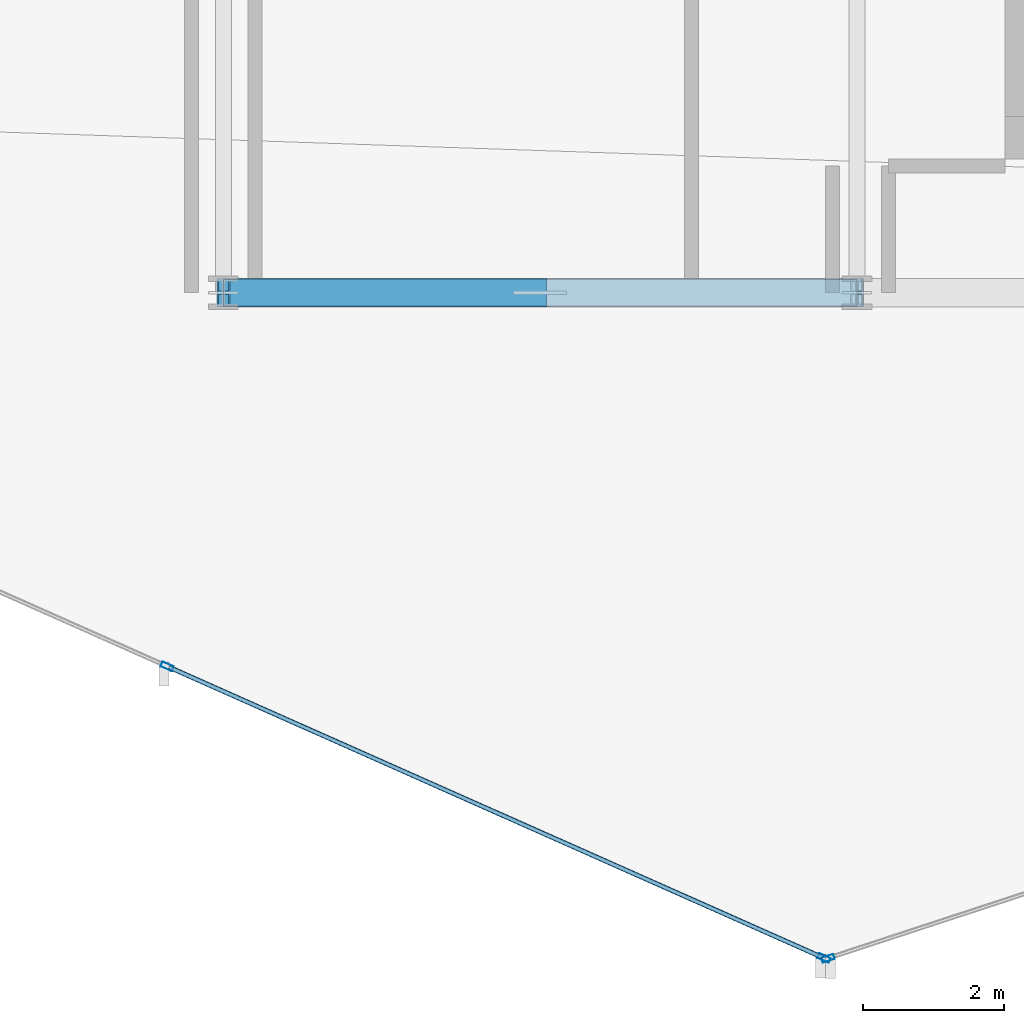
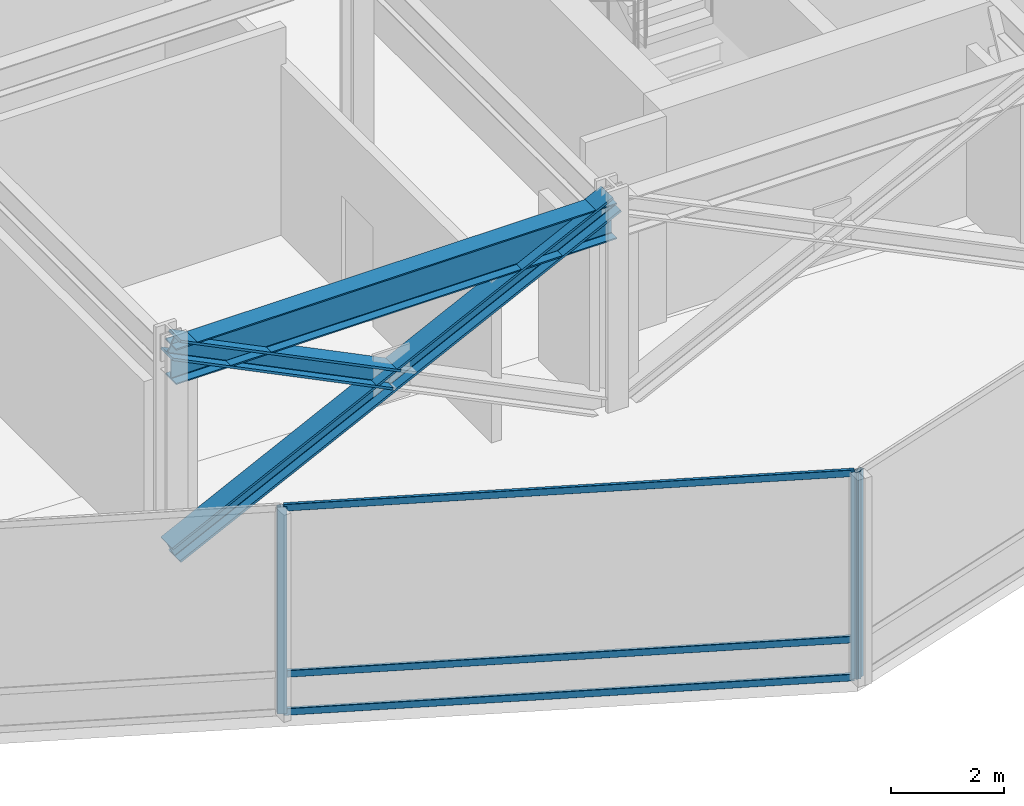
# One storey, part 3 of 42: 8 members, 1 beam, 2 elements without a shape of their own.
"""IFC4 building model written with IfcOpenShell, lengths in metres."""

from ifc_helpers import new_model, si_unit, direction, frame, origin, origin_2d, place, context, subcontext, project, spatial, hollow_rectangle, i_section, extrude, material, layer, layer_set, material_profile, profile_set, type_object, element, aggregate, save


model = new_model("IFC4")

# Units and contexts
model_context = context("Model", 3, precision=1e-05, world=origin(), true_north=direction((0.0, 1.0)))
body_context = subcontext(model_context, "Body", "Model", "MODEL_VIEW")
ifc_project = project(units=[si_unit("LENGTHUNIT", "METRE"), si_unit("AREAUNIT", "SQUARE_METRE"), si_unit("VOLUMEUNIT", "CUBIC_METRE"), si_unit("PLANEANGLEUNIT", "RADIAN"), si_unit("MASSUNIT", "GRAM", prefix="KILO")], contexts=[model_context])

# Site, building, storey
site_placement = place(None, origin())
site = spatial("IfcSite", under=ifc_project, at=site_placement, CompositionType="ELEMENT")
building_placement = place(site_placement, origin())
building = spatial("IfcBuilding", under=site, at=building_placement, Name="Solvaryn Broadcast Tower", CompositionType="ELEMENT")
storey_placement = place(building_placement, frame((0.0, 0.0, 100.199951171875)))
storey = spatial("IfcBuildingStorey", under=building, at=storey_placement, Name="L24", CompositionType="ELEMENT", Elevation=100.199951171875)

# Beam
ifc_material_1 = material(Name="Steel ASTM A992 Grade 50", Category="steel")
ifc_material_profile_1 = material_profile(ifc_material_1, i_section(OverallWidth=0.381103515625, OverallDepth=0.77294921875, WebThickness=0.0166015625, FlangeThickness=0.027099609375, FilletRadius=0.01806640625, at=origin_2d()))
ifc_profile_set_1 = profile_set([ifc_material_profile_1], Name="Steel ASTM A992 Grade 50")
beam_type = type_object("IfcBeamType", Name="BM-SP1-W30X173", PredefinedType="USERDEFINED", material=ifc_profile_set_1)
beam_placement = place(storey_placement, frame((18.0, 9.0, 4.08349609375), z_axis=(1.0, 0.0, 0.0), x_axis=(0.0, 1.0, 0.0)))
element("IfcBeam", 1, at=beam_placement, inside=storey, type_object=beam_type, Name="L24 Spandrel Beam X (18-27 @ Y=9)", ObjectType="SPANDREL", PredefinedType="USERDEFINED", context=body_context, shape_type="SweptSolid", body=[
    extrude(i_section(OverallWidth=0.381103515625, OverallDepth=0.77294921875, WebThickness=0.0166015625, FlangeThickness=0.027099609375, FilletRadius=0.01806640625, at=origin_2d()), origin(), (0.0, 0.0, 1.0), 9.0),
])

# Curtain wall, members
ifc_material_2 = material(Name="Aluminium and Terracotta Unitised Curtain Wall", Category="masonry")
ifc_layer = layer(ifc_material_2, 0.199951171875)
ifc_layer_set = layer_set([ifc_layer], Name="CW-SYS2-LOWMID")
curtain_wall_type = type_object("IfcCurtainWallType", Name="CW-SYS2-LOWMID", PredefinedType="NOTDEFINED", material=ifc_layer_set)
curtain_wall_1_placement = place(storey_placement, origin())
curtain_wall_1 = element("IfcCurtainWall", 2, at=curtain_wall_1_placement, inside=storey, type_object=curtain_wall_type, Name="L24 Curtain Wall DR3", PredefinedType="NOTDEFINED")
ifc_material_3 = material(Name="Anodised Aluminium 6063-T6", Category="aluminium")
ifc_material_profile_2 = material_profile(ifc_material_3, hollow_rectangle(XDim=0.074951171875, YDim=0.179931640625, WallThickness=0.00390625, InnerFilletRadius=0.00390625, OuterFilletRadius=0.008056640625, at=origin_2d()))
ifc_profile_set_2 = profile_set([ifc_material_profile_2], Name="Anodised Aluminium 6063-T6")
member_type_1 = type_object("IfcMemberType", Name="CW-MUL-180", PredefinedType="MULLION", material=ifc_profile_set_2)
member_1_placement = place(storey_placement, frame((17.20361328125, 3.69140625, 0.0), z_axis=(0.0, 0.0, 1.0), x_axis=(0.405898286554, 0.913918257271, 0.0)))
member_1 = element("IfcMember", 3, at=member_1_placement, type_object=member_type_1, Name="CWS2 mullion 2", PredefinedType="MULLION", context=body_context, shape_type="SweptSolid", body=[
    extrude(hollow_rectangle(XDim=0.074951171875, YDim=0.179931640625, WallThickness=0.00390625, InnerFilletRadius=0.00390625, OuterFilletRadius=0.008056640625, at=origin_2d()), origin(), (0.0, 0.0, 1.0), 4.469970703125),
])
member_2_placement = place(storey_placement, frame((26.532470703125, -0.451904296875, 0.0), z_axis=(0.0, 0.0, 1.0), x_axis=(0.405898286554, 0.913918257271, 0.0)))
member_2 = element("IfcMember", 4, at=member_2_placement, type_object=member_type_1, Name="CWS2 mullion 3", PredefinedType="MULLION", context=body_context, shape_type="SweptSolid", body=[
    extrude(hollow_rectangle(XDim=0.074951171875, YDim=0.179931640625, WallThickness=0.00390625, InnerFilletRadius=0.00390625, OuterFilletRadius=0.008056640625, at=origin_2d()), origin(), (0.0, 0.0, 1.0), 4.469970703125),
])

# Curtain wall, member
curtain_wall_2_placement = place(storey_placement, origin())
curtain_wall_2 = element("IfcCurtainWall", 5, at=curtain_wall_2_placement, inside=storey, type_object=curtain_wall_type, Name="L24 Curtain Wall DR4", PredefinedType="NOTDEFINED")
member_3_placement = place(storey_placement, frame((26.588623046875, -0.45458984375, 0.0), z_axis=(0.0, 0.0, 1.0), x_axis=(-0.311594044587, 0.950215318429, 0.0)))
member_3 = element("IfcMember", 6, at=member_3_placement, type_object=member_type_1, Name="CWS2 mullion 1", PredefinedType="MULLION", context=body_context, shape_type="SweptSolid", body=[
    extrude(hollow_rectangle(XDim=0.074951171875, YDim=0.179931640625, WallThickness=0.00390625, InnerFilletRadius=0.00390625, OuterFilletRadius=0.008056640625, at=origin_2d()), origin(), (0.0, 0.0, 1.0), 4.469970703125),
])
aggregate(curtain_wall_2, [member_3])

# Member
ifc_material_4 = material(Name="Anodised Aluminium 6063-T6", Category="aluminium")
ifc_material_profile_3 = material_profile(ifc_material_4, hollow_rectangle(XDim=0.06494140625, YDim=0.14990234375, WallThickness=0.00390625, InnerFilletRadius=0.00390625, OuterFilletRadius=0.008056640625, at=origin_2d()))
ifc_profile_set_3 = profile_set([ifc_material_profile_3], Name="Anodised Aluminium 6063-T6")
member_type_2 = type_object("IfcMemberType", Name="CW-TRN-150", PredefinedType="USERDEFINED", material=ifc_profile_set_3)
member_4_placement = place(storey_placement, frame((17.23095703125, 3.679443359375, 0.030029296875), z_axis=(0.913910731719, -0.40591523062, 0.0), x_axis=(0.40591523062, 0.913910731719, 0.0)))
member_4 = element("IfcMember", 7, at=member_4_placement, type_object=member_type_2, Name="CWS2 transom 2.1", ObjectType="TRANSOM", PredefinedType="USERDEFINED", context=body_context, shape_type="SweptSolid", body=[
    extrude(hollow_rectangle(XDim=0.06494140625, YDim=0.14990234375, WallThickness=0.00390625, InnerFilletRadius=0.00390625, OuterFilletRadius=0.008056640625, at=origin_2d()), origin(), (0.0, 0.0, 1.0), 10.147705078125),
])

member_5_placement = place(storey_placement, frame((17.23095703125, 3.679443359375, 0.85009765625), z_axis=(0.913910731719, -0.40591523062, 0.0), x_axis=(0.40591523062, 0.913910731719, 0.0)))
member_5 = element("IfcMember", 8, at=member_5_placement, type_object=member_type_2, Name="CWS2 transom 2.2", ObjectType="TRANSOM", PredefinedType="USERDEFINED", context=body_context, shape_type="SweptSolid", body=[
    extrude(hollow_rectangle(XDim=0.06494140625, YDim=0.14990234375, WallThickness=0.00390625, InnerFilletRadius=0.00390625, OuterFilletRadius=0.008056640625, at=origin_2d()), origin(), (0.0, 0.0, 1.0), 10.147705078125),
])

member_6_placement = place(storey_placement, frame((17.23095703125, 3.679443359375, 4.43994140625), z_axis=(0.913910731719, -0.40591523062, 0.0), x_axis=(0.40591523062, 0.913910731719, 0.0)))
member_6 = element("IfcMember", 9, at=member_6_placement, type_object=member_type_2, Name="CWS2 transom 2.3", ObjectType="TRANSOM", PredefinedType="USERDEFINED", context=body_context, shape_type="SweptSolid", body=[
    extrude(hollow_rectangle(XDim=0.06494140625, YDim=0.14990234375, WallThickness=0.00390625, InnerFilletRadius=0.00390625, OuterFilletRadius=0.008056640625, at=origin_2d()), origin(), (0.0, 0.0, 1.0), 10.147705078125),
])

aggregate(curtain_wall_1, [member_1, member_2, member_4, member_5, member_6])

# Members
ifc_material_5 = material(Name="Steel ASTM A913 Grade 65", Category="steel")
ifc_material_profile_4 = material_profile(ifc_material_5, i_section(OverallWidth=0.406005859375, OverallDepth=0.416015625, WebThickness=0.02978515625, FlangeThickness=0.048095703125, FilletRadius=0.014892578125, at=origin_2d()))
ifc_profile_set_4 = profile_set([ifc_material_profile_4], Name="Steel ASTM A913 Grade 65")
member_type_3 = type_object("IfcMemberType", Name="MB-BELT-1", PredefinedType="BRACE", material=ifc_profile_set_4)
member_7_placement = place(storey_placement, frame((18.0, 9.0, 0.02001953125), z_axis=(0.897203761247, 0.0, 0.441616814449), x_axis=(0.0, 1.0, 0.0)))
element("IfcMember", 10, at=member_7_placement, inside=storey, type_object=member_type_3, Name="L24 South Belt X-Brace 3 Continuous Diagonal", PredefinedType="BRACE", context=body_context, shape_type="SweptSolid", body=[
    extrude(i_section(OverallWidth=0.406005859375, OverallDepth=0.416015625, WebThickness=0.02978515625, FlangeThickness=0.048095703125, FilletRadius=0.014892578125, at=origin_2d()), origin(), (0.0, 0.0, 1.0), 10.03125),
])
member_8_placement = place(storey_placement, frame((22.5, 9.0, 2.235107421875), z_axis=(-0.897213404429, 0.0, 0.441597222492), x_axis=(0.0, -1.0, 0.0)))
element("IfcMember", 11, at=member_8_placement, inside=storey, type_object=member_type_3, Name="L24 South Belt X-Brace 3 Split Diagonal Upper", PredefinedType="BRACE", context=body_context, shape_type="SweptSolid", body=[
    extrude(i_section(OverallWidth=0.406005859375, OverallDepth=0.416015625, WebThickness=0.02978515625, FlangeThickness=0.048095703125, FilletRadius=0.014892578125, at=origin_2d()), origin(), (0.0, 0.0, 1.0), 5.015625),
])

save(model, "model.ifc")
